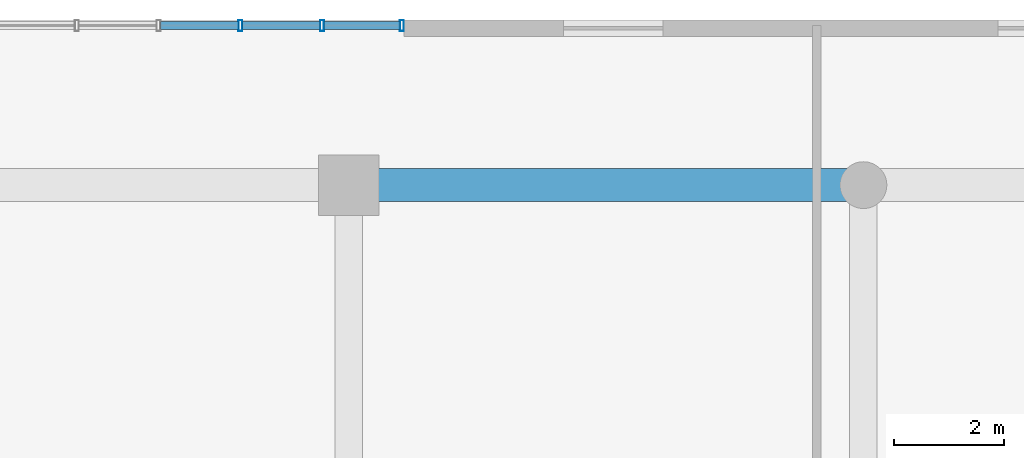
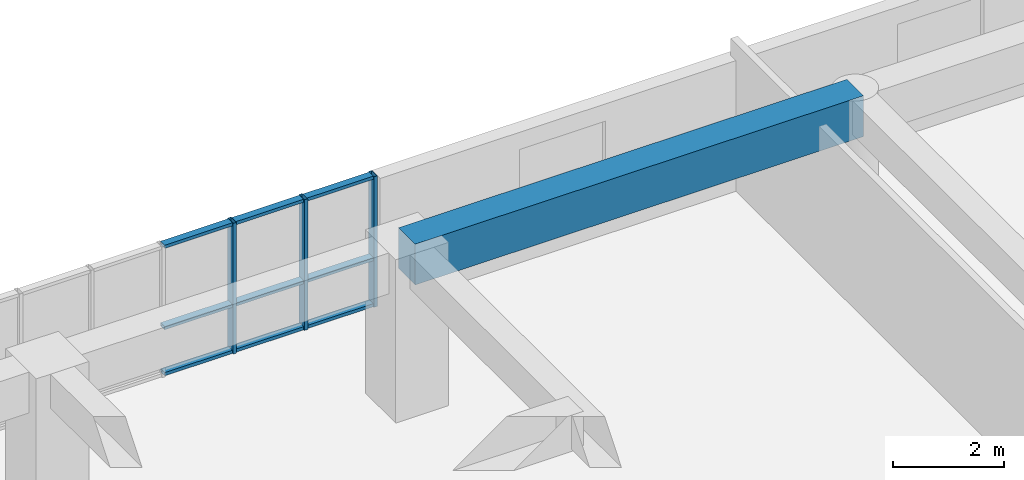
# One storey, part 15 of 30: 12 members, 1 beam, 1 element without a shape of its own.
"""IFC4 building model written with IfcOpenShell, lengths in metres."""

from ifc_helpers import new_model, si_unit, direction, frame, origin, origin_2d, place, context, subcontext, project, spatial, rectangle, hollow_rectangle, extrude, source, transform, mapped, material, layer, layer_set, material_profile, profile_set, type_object, element, aggregate, save


model = new_model("IFC4")

# Units and contexts
model_context = context("Model", 3, precision=1e-05, world=origin(), true_north=direction((0.0, 1.0)))
body_context = subcontext(model_context, "Body", "Model", "MODEL_VIEW")
ifc_project = project(units=[si_unit("LENGTHUNIT", "METRE"), si_unit("AREAUNIT", "SQUARE_METRE"), si_unit("VOLUMEUNIT", "CUBIC_METRE"), si_unit("PLANEANGLEUNIT", "RADIAN"), si_unit("MASSUNIT", "GRAM", prefix="KILO")], contexts=[model_context])

# Site, building, storey
site_placement = place(None, origin())
site = spatial("IfcSite", under=ifc_project, at=site_placement, CompositionType="ELEMENT")
building_placement = place(site_placement, origin())
building = spatial("IfcBuilding", under=site, at=building_placement, Name="Saelheon Loggia Tower", CompositionType="ELEMENT")
storey_placement = place(building_placement, frame((0.0, 0.0, 11.39990234375)))
storey = spatial("IfcBuildingStorey", under=building, at=storey_placement, Name="L03", CompositionType="ELEMENT", Elevation=11.39990234375)

# Beam
ifc_material_1 = material(Name="Concrete C50/60", Category="concrete")
ifc_material_profile_1 = material_profile(ifc_material_1, rectangle(XDim=0.60009765625, YDim=0.89990234375, at=origin_2d()), Name="RC-600x900")
ifc_profile_set_1 = profile_set([ifc_material_profile_1], Name="Concrete C50/60")
beam_type = type_object("IfcBeamType", Name="Beam_MainGirder_RC600x900", PredefinedType="BEAM", material=ifc_profile_set_1)
shared_shape_1 = source(origin(), body_context, "Body", "SweptSolid", [
    extrude(rectangle(XDim=0.60009765625, YDim=0.89990234375, at=origin_2d()), origin(), (0.0, 0.0, 1.0), 9.35009765625),
])
beam_placement = place(storey_placement, frame((59.0, 51.0, 3.150146484375), z_axis=(1.0, 0.0, 0.0), x_axis=(0.0, 1.0, 0.0)))
element("IfcBeam", 1, at=beam_placement, inside=storey, type_object=beam_type, Name="BM-L03-EW-51-9", PredefinedType="BEAM", context=body_context, shape_type="MappedRepresentation", body=[
    mapped(shared_shape_1, transform((0.0, 0.0, 0.0), scale=1.0)),
])

# Curtain wall, members
ifc_material_2 = material(Name="Aluminium 6063-T6 and Low-E IGU", Category="aluminium")
ifc_layer = layer(ifc_material_2, 0.179931640625)
ifc_layer_set = layer_set([ifc_layer], Name="Aluminium 6063-T6 and Low-E IGU")
curtain_wall_type = type_object("IfcCurtainWallType", Name="CW_PodiumClinic", PredefinedType="NOTDEFINED", material=ifc_layer_set)
curtain_wall_placement = place(storey_placement, origin())
curtain_wall = element("IfcCurtainWall", 2, at=curtain_wall_placement, inside=storey, type_object=curtain_wall_type, Name="L03 North Clinic Curtain Wall 3", PredefinedType="NOTDEFINED")
ifc_material_3 = material(Name="Anodised Aluminium 6063-T6", Category="aluminium")
ifc_material_profile_2 = material_profile(ifc_material_3, hollow_rectangle(XDim=0.070068359375, YDim=0.199951171875, WallThickness=0.0048828125, at=origin_2d()), Name="RHS-200x70x5")
ifc_profile_set_2 = profile_set([ifc_material_profile_2], Name="Anodised Aluminium 6063-T6")
member_type_1 = type_object("IfcMemberType", Name="CW_PodiumClinic_Mullion", PredefinedType="MULLION", material=ifc_profile_set_2)
shared_shape_2 = source(origin(), body_context, "Body", "SweptSolid", [
    extrude(hollow_rectangle(XDim=0.070068359375, YDim=0.199951171875, WallThickness=0.0048828125, at=origin_2d()), origin(), (0.0, 0.0, 1.0), 2.880126953125),
])
member_1_placement = place(storey_placement, frame((57.030029296875, 53.89990234375, 0.0), z_axis=(0.0, 0.0, 1.0), x_axis=(1.0, 0.0, 0.0)))
member_1 = element("IfcMember", 3, at=member_1_placement, type_object=member_type_1, Name="CW1 mullion 9", PredefinedType="MULLION", context=body_context, shape_type="MappedRepresentation", body=[
    mapped(shared_shape_2, transform((0.0, 0.0, 0.0), scale=1.0)),
])
member_2_placement = place(storey_placement, frame((58.514892578125, 53.89990234375, 0.0), z_axis=(0.0, 0.0, 1.0), x_axis=(1.0, 0.0, 0.0)))
member_2 = element("IfcMember", 4, at=member_2_placement, type_object=member_type_1, Name="CW1 mullion 10", PredefinedType="MULLION", context=body_context, shape_type="MappedRepresentation", body=[
    mapped(shared_shape_2, transform((0.0, 0.0, 0.0), scale=1.0)),
])
member_3_placement = place(storey_placement, frame((59.965087890625, 53.89990234375, 0.0), z_axis=(0.0, 0.0, 1.0), x_axis=(1.0, 0.0, 0.0)))
member_3 = element("IfcMember", 5, at=member_3_placement, type_object=member_type_1, Name="CW1 mullion 11", PredefinedType="MULLION", context=body_context, shape_type="MappedRepresentation", body=[
    mapped(shared_shape_2, transform((0.0, 0.0, 0.0), scale=1.0)),
])
ifc_material_profile_3 = material_profile(ifc_material_3, hollow_rectangle(XDim=0.070068359375, YDim=0.14990234375, WallThickness=0.0048828125, at=origin_2d()), Name="RHS-150x70x5")
ifc_profile_set_3 = profile_set([ifc_material_profile_3], Name="Anodised Aluminium 6063-T6")
member_type_2 = type_object("IfcMemberType", Name="CW_PodiumClinic_Transom", PredefinedType="USERDEFINED", material=ifc_profile_set_3)
shared_shape_3 = source(origin(), body_context, "Body", "SweptSolid", [
    extrude(hollow_rectangle(XDim=0.070068359375, YDim=0.14990234375, WallThickness=0.0048828125, at=origin_2d()), origin(), (0.0, 0.0, 1.0), 1.3798828125),
])
member_4_placement = place(storey_placement, frame((58.550048828125, 53.89990234375, 0.03515625), z_axis=(1.0, 0.0, 0.0), x_axis=(0.0, 0.0, 1.0)))
member_4 = element("IfcMember", 6, at=member_4_placement, type_object=member_type_2, Name="CW1 transom 10.1", ObjectType="TRANSOM", PredefinedType="USERDEFINED", context=body_context, shape_type="MappedRepresentation", body=[
    mapped(shared_shape_3, transform((0.0, 0.0, 0.0), scale=1.0)),
])
member_5_placement = place(storey_placement, frame((58.550048828125, 53.89990234375, 1.050048828125), z_axis=(1.0, 0.0, 0.0), x_axis=(0.0, 0.0, 1.0)))
member_5 = element("IfcMember", 7, at=member_5_placement, type_object=member_type_2, Name="CW1 transom 10.2", ObjectType="TRANSOM", PredefinedType="USERDEFINED", context=body_context, shape_type="MappedRepresentation", body=[
    mapped(shared_shape_3, transform((0.0, 0.0, 0.0), scale=1.0)),
])
member_6_placement = place(storey_placement, frame((58.550048828125, 53.89990234375, 2.84521484375), z_axis=(1.0, 0.0, 0.0), x_axis=(0.0, 0.0, 1.0)))
member_6 = element("IfcMember", 8, at=member_6_placement, type_object=member_type_2, Name="CW1 transom 10.3", ObjectType="TRANSOM", PredefinedType="USERDEFINED", context=body_context, shape_type="MappedRepresentation", body=[
    mapped(shared_shape_3, transform((0.0, 0.0, 0.0), scale=1.0)),
])
shared_shape_4 = source(origin(), body_context, "Body", "SweptSolid", [
    extrude(hollow_rectangle(XDim=0.070068359375, YDim=0.14990234375, WallThickness=0.0048828125, at=origin_2d()), origin(), (0.0, 0.0, 1.0), 1.4150390625),
])
member_7_placement = place(storey_placement, frame((55.580078125, 53.89990234375, 0.03515625), z_axis=(1.0, 0.0, 0.0), x_axis=(0.0, 0.0, 1.0)))
member_7 = element("IfcMember", 9, at=member_7_placement, type_object=member_type_2, Name="CW1 transom 8.1", ObjectType="TRANSOM", PredefinedType="USERDEFINED", context=body_context, shape_type="MappedRepresentation", body=[
    mapped(shared_shape_4, transform((0.0, 0.0, 0.0), scale=1.0)),
])
member_8_placement = place(storey_placement, frame((55.580078125, 53.89990234375, 1.050048828125), z_axis=(1.0, 0.0, 0.0), x_axis=(0.0, 0.0, 1.0)))
member_8 = element("IfcMember", 10, at=member_8_placement, type_object=member_type_2, Name="CW1 transom 8.2", ObjectType="TRANSOM", PredefinedType="USERDEFINED", context=body_context, shape_type="MappedRepresentation", body=[
    mapped(shared_shape_4, transform((0.0, 0.0, 0.0), scale=1.0)),
])
member_9_placement = place(storey_placement, frame((55.580078125, 53.89990234375, 2.84521484375), z_axis=(1.0, 0.0, 0.0), x_axis=(0.0, 0.0, 1.0)))
member_9 = element("IfcMember", 11, at=member_9_placement, type_object=member_type_2, Name="CW1 transom 8.3", ObjectType="TRANSOM", PredefinedType="USERDEFINED", context=body_context, shape_type="MappedRepresentation", body=[
    mapped(shared_shape_4, transform((0.0, 0.0, 0.0), scale=1.0)),
])
member_10_placement = place(storey_placement, frame((57.06494140625, 53.89990234375, 0.03515625), z_axis=(1.0, 0.0, 0.0), x_axis=(0.0, 0.0, 1.0)))
member_10 = element("IfcMember", 12, at=member_10_placement, type_object=member_type_2, Name="CW1 transom 9.1", ObjectType="TRANSOM", PredefinedType="USERDEFINED", context=body_context, shape_type="MappedRepresentation", body=[
    mapped(shared_shape_4, transform((0.0, 0.0, 0.0), scale=1.0)),
])
member_11_placement = place(storey_placement, frame((57.06494140625, 53.89990234375, 1.050048828125), z_axis=(1.0, 0.0, 0.0), x_axis=(0.0, 0.0, 1.0)))
member_11 = element("IfcMember", 13, at=member_11_placement, type_object=member_type_2, Name="CW1 transom 9.2", ObjectType="TRANSOM", PredefinedType="USERDEFINED", context=body_context, shape_type="MappedRepresentation", body=[
    mapped(shared_shape_4, transform((0.0, 0.0, 0.0), scale=1.0)),
])
member_12_placement = place(storey_placement, frame((57.06494140625, 53.89990234375, 2.84521484375), z_axis=(1.0, 0.0, 0.0), x_axis=(0.0, 0.0, 1.0)))
member_12 = element("IfcMember", 14, at=member_12_placement, type_object=member_type_2, Name="CW1 transom 9.3", ObjectType="TRANSOM", PredefinedType="USERDEFINED", context=body_context, shape_type="MappedRepresentation", body=[
    mapped(shared_shape_4, transform((0.0, 0.0, 0.0), scale=1.0)),
])
aggregate(curtain_wall, [member_1, member_2, member_3, member_7, member_8, member_9, member_10, member_11, member_12, member_4, member_5, member_6])

save(model, "model.ifc")
